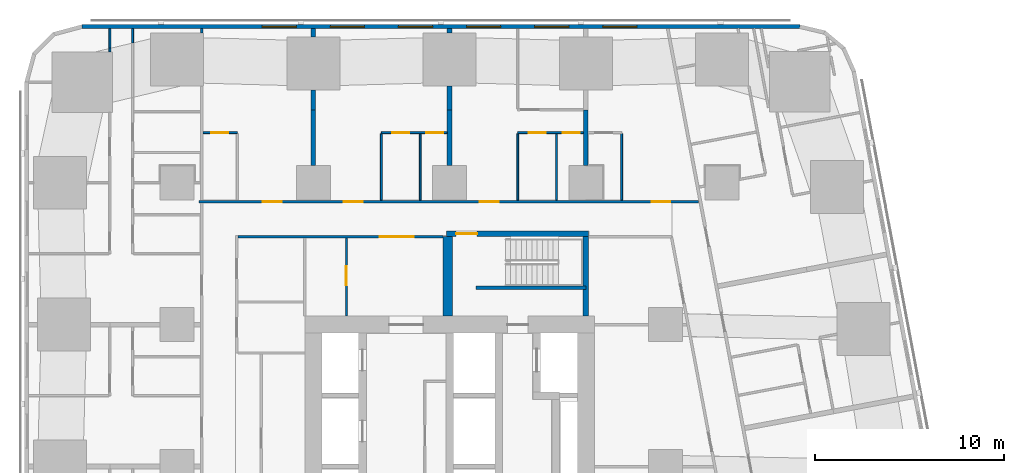
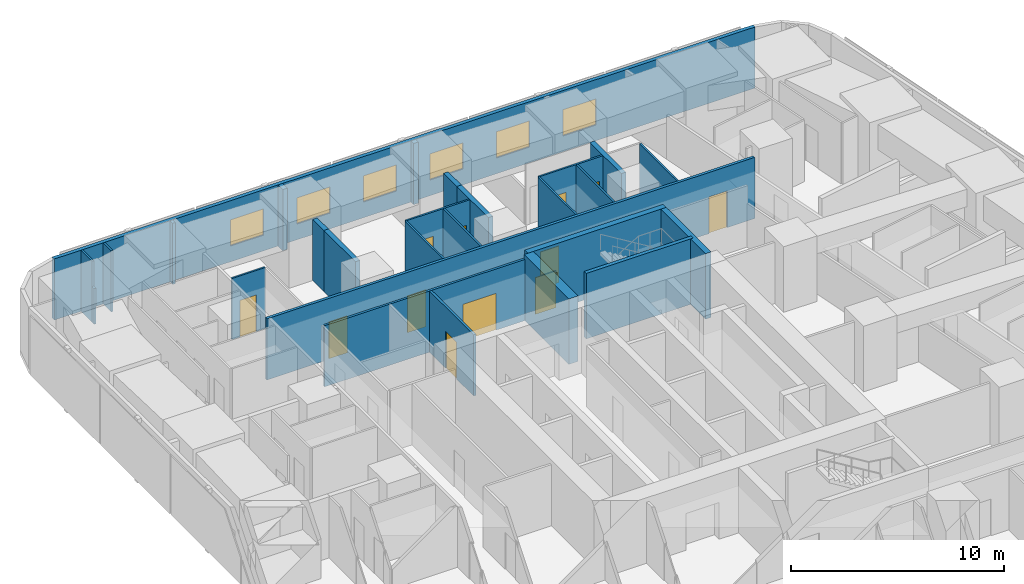
# One storey, part 9 of 15: 27 walls, 12 doors, 6 windows, 18 openings.
"""IFC4 building model written with IfcOpenShell, lengths in metres."""

from ifc_helpers import new_model, si_unit, direction, frame, frame_2d, origin, place, context, subcontext, project, spatial, rectangle, extrude, material, layer, layer_set, type_object, element, fill, save


model = new_model("IFC4")

# Units and contexts
model_context = context("Model", 3, precision=1e-05, world=origin(), true_north=direction((0.0, 1.0)))
body_context = subcontext(model_context, "Body", "Model", "MODEL_VIEW")
ifc_project = project(units=[si_unit("LENGTHUNIT", "METRE"), si_unit("AREAUNIT", "SQUARE_METRE"), si_unit("VOLUMEUNIT", "CUBIC_METRE"), si_unit("PLANEANGLEUNIT", "RADIAN"), si_unit("MASSUNIT", "GRAM", prefix="KILO")], contexts=[model_context])

# Site, building, storey
site_placement = place(None, origin())
site = spatial("IfcSite", under=ifc_project, at=site_placement, CompositionType="ELEMENT")
building_placement = place(site_placement, origin())
building = spatial("IfcBuilding", under=site, at=building_placement, Name="Sheger Commons Tower", CompositionType="ELEMENT")
storey_placement = place(building_placement, frame((0.0, 0.0, 50.0)))
storey = spatial("IfcBuildingStorey", under=building, at=storey_placement, Name="L12", CompositionType="ELEMENT", Elevation=50.0)

# Wall
ifc_material_1 = material(Name="Hollow concrete block masonry, skimmed both sides", Category="masonry")
ifc_layer_1 = layer(ifc_material_1, 0.14990234375)
ifc_layer_set_1 = layer_set([ifc_layer_1], Name="CORRIDOR WALL 150")
wall_type_1 = type_object("IfcWallType", Name="CORRIDOR WALL 150", PredefinedType="SOLIDWALL", material=ifc_layer_set_1)
wall_1_placement = place(storey_placement, frame((8.5, 45.40087890625, 0.0), z_axis=(0.0, 0.0, 1.0), x_axis=(0.0, 1.0, 0.0)))
element("IfcWall", 1, at=wall_1_placement, inside=storey, type_object=wall_type_1, Name="Corridor wall L12", PredefinedType="SOLIDWALL", context=body_context, shape_type="SweptSolid", body=[
    extrude(rectangle(XDim=0.2490234375, YDim=0.14990234375, at=frame_2d((0.12451171875, 0.0))), origin(), (0.0, 0.0, 1.0), 3.5),
])

# Wall, openings, doors
wall_2_placement = place(storey_placement, frame((8.35009765625, 36.5, 0.0), z_axis=(0.0, 0.0, 1.0), x_axis=(1.0, 0.0, 0.0)))
wall_2 = element("IfcWall", 2, at=wall_2_placement, inside=storey, type_object=wall_type_1, Name="Corridor wall L12", PredefinedType="SOLIDWALL", context=body_context, shape_type="SweptSolid", body=[
    extrude(rectangle(XDim=26.414794921875, YDim=0.14990234375, at=frame_2d((13.20751953125, 0.0))), origin(), (0.0, 0.0, 1.0), 3.5),
])
opening_1_placement = place(wall_2_placement, frame((3.383056640625, 0.0, 0.0)))
opening_1 = element("IfcOpeningElement", 3, at=opening_1_placement, cuts=wall_2, Name="Opening D1", PredefinedType="OPENING", context=body_context, shape_type="SweptSolid", body=[
    extrude(rectangle(XDim=1.0, YDim=2.10009765625, at=frame_2d((0.5, 1.050048828125))), frame((0.0, 0.0849609375, 0.0), z_axis=(0.0, -1.0, 0.0), x_axis=(1.0, 0.0, 0.0)), (0.0, 0.0, 1.0), 0.169921875),
])
opening_2_placement = place(wall_2_placement, frame((7.64990234375, 0.0, 0.0)))
opening_2 = element("IfcOpeningElement", 4, at=opening_2_placement, cuts=wall_2, Name="Opening D1", PredefinedType="OPENING", context=body_context, shape_type="SweptSolid", body=[
    extrude(rectangle(XDim=1.0, YDim=2.10009765625, at=frame_2d((0.5, 1.050048828125))), frame((0.0, 0.0849609375, 0.0), z_axis=(0.0, -1.0, 0.0), x_axis=(1.0, 0.0, 0.0)), (0.0, 0.0, 1.0), 0.169921875),
])
opening_3_placement = place(wall_2_placement, frame((14.85009765625, 0.0, 0.0)))
opening_3 = element("IfcOpeningElement", 5, at=opening_3_placement, cuts=wall_2, Name="Opening D1", PredefinedType="OPENING", context=body_context, shape_type="SweptSolid", body=[
    extrude(rectangle(XDim=1.0, YDim=2.10009765625, at=frame_2d((0.5, 1.050048828125))), frame((0.0, 0.0849609375, 0.0), z_axis=(0.0, -1.0, 0.0), x_axis=(1.0, 0.0, 0.0)), (0.0, 0.0, 1.0), 0.169921875),
])
opening_4_placement = place(wall_2_placement, frame((23.923095703125, 0.0, 0.0)))
opening_4 = element("IfcOpeningElement", 6, at=opening_4_placement, cuts=wall_2, Name="Opening D1", PredefinedType="OPENING", context=body_context, shape_type="SweptSolid", body=[
    extrude(rectangle(XDim=1.0, YDim=2.10009765625, at=frame_2d((0.5, 1.050048828125))), frame((0.0, 0.0849609375, 0.0), z_axis=(0.0, -1.0, 0.0), x_axis=(1.0, 0.0, 0.0)), (0.0, 0.0, 1.0), 0.169921875),
])
ifc_material_2 = material(Name="Steel door set, fire rated", Category="steel")
door_type_1 = type_object("IfcDoorType", Name="FLAT ENTRANCE DOOR 1000x2100", OperationType="NOTDEFINED", PredefinedType="DOOR", material=ifc_material_2)
door_1_placement = place(opening_1_placement, origin())
door_1 = element("IfcDoor", 7, at=door_1_placement, inside=storey, type_object=door_type_1, Name="Flat entrance door", OperationType="SINGLE_SWING_RIGHT", OverallHeight=2.10009765625, OverallWidth=1.0, PredefinedType="DOOR", context=body_context, shape_type="SweptSolid", body=[
    extrude(rectangle(XDim=1.0, YDim=2.10009765625, at=frame_2d((0.5, 1.050048828125))), frame((0.0, 0.02490234375, 0.0), z_axis=(0.0, -1.0, 0.0), x_axis=(1.0, 0.0, 0.0)), (0.0, 0.0, 1.0), 0.050048828125),
])
fill(opening_1, door_1)
door_2_placement = place(opening_2_placement, origin())
door_2 = element("IfcDoor", 8, at=door_2_placement, inside=storey, type_object=door_type_1, Name="Flat entrance door", OperationType="SINGLE_SWING_RIGHT", OverallHeight=2.10009765625, OverallWidth=1.0, PredefinedType="DOOR", context=body_context, shape_type="SweptSolid", body=[
    extrude(rectangle(XDim=1.0, YDim=2.10009765625, at=frame_2d((0.5, 1.050048828125))), frame((0.0, 0.02490234375, 0.0), z_axis=(0.0, -1.0, 0.0), x_axis=(1.0, 0.0, 0.0)), (0.0, 0.0, 1.0), 0.050048828125),
])
fill(opening_2, door_2)
door_3_placement = place(opening_3_placement, origin())
door_3 = element("IfcDoor", 9, at=door_3_placement, inside=storey, type_object=door_type_1, Name="Flat entrance door", OperationType="SINGLE_SWING_RIGHT", OverallHeight=2.10009765625, OverallWidth=1.0, PredefinedType="DOOR", context=body_context, shape_type="SweptSolid", body=[
    extrude(rectangle(XDim=1.0, YDim=2.10009765625, at=frame_2d((0.5, 1.050048828125))), frame((0.0, 0.02490234375, 0.0), z_axis=(0.0, -1.0, 0.0), x_axis=(1.0, 0.0, 0.0)), (0.0, 0.0, 1.0), 0.050048828125),
])
fill(opening_3, door_3)
door_4_placement = place(opening_4_placement, origin())
door_4 = element("IfcDoor", 10, at=door_4_placement, inside=storey, type_object=door_type_1, Name="Flat entrance door", OperationType="SINGLE_SWING_RIGHT", OverallHeight=2.10009765625, OverallWidth=1.0, PredefinedType="DOOR", context=body_context, shape_type="SweptSolid", body=[
    extrude(rectangle(XDim=1.0, YDim=2.10009765625, at=frame_2d((0.5, 1.050048828125))), frame((0.0, 0.02490234375, 0.0), z_axis=(0.0, -1.0, 0.0), x_axis=(1.0, 0.0, 0.0)), (0.0, 0.0, 1.0), 0.050048828125),
])
fill(opening_4, door_4)

# Walls
ifc_material_3 = material(Name="Dense concrete block masonry, plastered both sides (separating wall between flats)", Category="masonry")
ifc_layer_2 = layer(ifc_material_3, 0.25)
ifc_layer_set_2 = layer_set([ifc_layer_2], Name="DEMISING WALL 250")
wall_type_2 = type_object("IfcWallType", Name="DEMISING WALL 250", PredefinedType="SOLIDWALL", material=ifc_layer_set_2)
wall_3_placement = place(storey_placement, frame((14.39990234375, 41.35009765625, 0.0), z_axis=(0.0, 0.0, 1.0), x_axis=(0.0, 1.0, 0.0)))
element("IfcWall", 11, at=wall_3_placement, inside=storey, type_object=wall_type_2, Name="Demising wall L12", PredefinedType="SOLIDWALL", context=body_context, shape_type="SweptSolid", body=[
    extrude(rectangle(XDim=1.048828125, YDim=0.25, at=frame_2d((0.5244140625, 0.0))), origin(), (0.0, 0.0, 1.0), 3.5),
])
wall_4_placement = place(storey_placement, frame((14.39990234375, 45.200927734375, 0.0), z_axis=(0.0, 0.0, 1.0), x_axis=(0.0, 1.0, 0.0)))
element("IfcWall", 12, at=wall_4_placement, inside=storey, type_object=wall_type_2, Name="Demising wall L12", PredefinedType="SOLIDWALL", context=body_context, shape_type="SweptSolid", body=[
    extrude(rectangle(XDim=0.448974609375, YDim=0.25, at=frame_2d((0.224609375, 0.0))), origin(), (0.0, 0.0, 1.0), 3.5),
])
wall_5_placement = place(storey_placement, frame((14.39990234375, 38.40087890625, 0.0), z_axis=(0.0, 0.0, 1.0), x_axis=(0.0, 1.0, 0.0)))
element("IfcWall", 13, at=wall_5_placement, inside=storey, type_object=wall_type_2, Name="Demising wall L12", PredefinedType="SOLIDWALL", context=body_context, shape_type="SweptSolid", body=[
    extrude(rectangle(XDim=2.94921875, YDim=0.25, at=frame_2d((1.474609375, 0.0))), origin(), (0.0, 0.0, 1.0), 3.5),
])
wall_6_placement = place(storey_placement, frame((21.60009765625, 41.35009765625, 0.0), z_axis=(0.0, 0.0, 1.0), x_axis=(0.0, 1.0, 0.0)))
element("IfcWall", 14, at=wall_6_placement, inside=storey, type_object=wall_type_2, Name="Demising wall L12", PredefinedType="SOLIDWALL", context=body_context, shape_type="SweptSolid", body=[
    extrude(rectangle(XDim=1.2490234375, YDim=0.25, at=frame_2d((0.62451171875, 0.0))), origin(), (0.0, 0.0, 1.0), 3.5),
])
wall_7_placement = place(storey_placement, frame((21.60009765625, 45.40087890625, 0.0), z_axis=(0.0, 0.0, 1.0), x_axis=(0.0, 1.0, 0.0)))
element("IfcWall", 15, at=wall_7_placement, inside=storey, type_object=wall_type_2, Name="Demising wall L12", PredefinedType="SOLIDWALL", context=body_context, shape_type="SweptSolid", body=[
    extrude(rectangle(XDim=0.2490234375, YDim=0.25, at=frame_2d((0.12451171875, 0.0))), origin(), (0.0, 0.0, 1.0), 3.5),
])
for number, where, z_axis, x_axis, name in (
    (16, (21.60009765625, 38.40087890625, 0.0), (0.0, 0.0, 1.0), (0.0, 1.0, 0.0), "Demising wall L12"),
    (17, (28.800048828125, 38.40087890625, 0.0), (0.0, 0.0, 1.0), (0.0, 1.0, 0.0), "Demising wall L12"),
):
    element("IfcWall", number, at=place(storey_placement, frame(where, z_axis=z_axis, x_axis=x_axis)), inside=storey, type_object=wall_type_2, Name=name, PredefinedType="SOLIDWALL", context=body_context, shape_type="SweptSolid", body=[
        extrude(rectangle(XDim=2.94921875, YDim=0.25, at=frame_2d((1.474609375, 0.0))), origin(), (0.0, 0.0, 1.0), 3.5),
    ])

# Wall, openings, windows
ifc_material_4 = material(Name="Rendered concrete block masonry, dark grey", Category="masonry")
ifc_layer_3 = layer(ifc_material_4, 0.199951171875)
ifc_layer_set_3 = layer_set([ifc_layer_3], Name="FACADE WALL 200")
wall_type_3 = type_object("IfcWallType", Name="FACADE WALL 200", PredefinedType="SOLIDWALL", material=ifc_layer_set_3)
wall_8_placement = place(storey_placement, frame((40.10595703125, 45.75, 0.0), z_axis=(0.0, 0.0, 1.0), x_axis=(-1.0, 0.0, 0.0)))
wall_8 = element("IfcWall", 18, at=wall_8_placement, inside=storey, type_object=wall_type_3, Name="Facade wall L12", PredefinedType="SOLIDWALL", context=body_context, shape_type="SweptSolid", body=[
    extrude(rectangle(XDim=37.94287109375, YDim=0.199951171875, at=frame_2d((18.971435546875, 0.0))), origin(), (0.0, 0.0, 1.0), 3.5),
])
opening_5_placement = place(wall_8_placement, frame((8.60595703125, 0.0, 0.89990234375)))
opening_5 = element("IfcOpeningElement", 19, at=opening_5_placement, cuts=wall_8, Name="Opening W2", PredefinedType="OPENING", context=body_context, shape_type="SweptSolid", body=[
    extrude(rectangle(XDim=1.800048828125, YDim=1.5, at=frame_2d((0.89990234375, 0.75))), frame((0.0, 0.10986328125, 0.0), z_axis=(0.0, -1.0, 0.0), x_axis=(1.0, 0.0, 0.0)), (0.0, 0.0, 1.0), 0.219970703125),
])
opening_6_placement = place(wall_8_placement, frame((12.2060546875, 0.0, 0.89990234375)))
opening_6 = element("IfcOpeningElement", 20, at=opening_6_placement, cuts=wall_8, Name="Opening W2", PredefinedType="OPENING", context=body_context, shape_type="SweptSolid", body=[
    extrude(rectangle(XDim=1.800048828125, YDim=1.5, at=frame_2d((0.89990234375, 0.75))), frame((0.0, 0.10986328125, 0.0), z_axis=(0.0, -1.0, 0.0), x_axis=(1.0, 0.0, 0.0)), (0.0, 0.0, 1.0), 0.219970703125),
])
opening_7_placement = place(wall_8_placement, frame((15.805908203125, 0.0, 0.89990234375)))
opening_7 = element("IfcOpeningElement", 21, at=opening_7_placement, cuts=wall_8, Name="Opening W2", PredefinedType="OPENING", context=body_context, shape_type="SweptSolid", body=[
    extrude(rectangle(XDim=1.800048828125, YDim=1.5, at=frame_2d((0.89990234375, 0.75))), frame((0.0, 0.10986328125, 0.0), z_axis=(0.0, -1.0, 0.0), x_axis=(1.0, 0.0, 0.0)), (0.0, 0.0, 1.0), 0.219970703125),
])
opening_8_placement = place(wall_8_placement, frame((19.406005859375, 0.0, 0.89990234375)))
opening_8 = element("IfcOpeningElement", 22, at=opening_8_placement, cuts=wall_8, Name="Opening W2", PredefinedType="OPENING", context=body_context, shape_type="SweptSolid", body=[
    extrude(rectangle(XDim=1.800048828125, YDim=1.5, at=frame_2d((0.89990234375, 0.75))), frame((0.0, 0.10986328125, 0.0), z_axis=(0.0, -1.0, 0.0), x_axis=(1.0, 0.0, 0.0)), (0.0, 0.0, 1.0), 0.219970703125),
])
opening_9_placement = place(wall_8_placement, frame((23.006103515625, 0.0, 0.89990234375)))
opening_9 = element("IfcOpeningElement", 23, at=opening_9_placement, cuts=wall_8, Name="Opening W2", PredefinedType="OPENING", context=body_context, shape_type="SweptSolid", body=[
    extrude(rectangle(XDim=1.800048828125, YDim=1.5, at=frame_2d((0.89990234375, 0.75))), frame((0.0, 0.10986328125, 0.0), z_axis=(0.0, -1.0, 0.0), x_axis=(1.0, 0.0, 0.0)), (0.0, 0.0, 1.0), 0.219970703125),
])
opening_10_placement = place(wall_8_placement, frame((26.60595703125, 0.0, 0.89990234375)))
opening_10 = element("IfcOpeningElement", 24, at=opening_10_placement, cuts=wall_8, Name="Opening W2", PredefinedType="OPENING", context=body_context, shape_type="SweptSolid", body=[
    extrude(rectangle(XDim=1.800048828125, YDim=1.5, at=frame_2d((0.89990234375, 0.75))), frame((0.0, 0.10986328125, 0.0), z_axis=(0.0, -1.0, 0.0), x_axis=(1.0, 0.0, 0.0)), (0.0, 0.0, 1.0), 0.219970703125),
])
ifc_material_5 = material(Name="Black aluminium frame, dark tinted double glazing", Category="aluminium")
window_type = type_object("IfcWindowType", Name="WINDOW W2 1800x1500", PartitioningType="SINGLE_PANEL", PredefinedType="WINDOW", material=ifc_material_5)
window_1_placement = place(opening_5_placement, origin())
window_1 = element("IfcWindow", 25, at=window_1_placement, inside=storey, type_object=window_type, Name="Window W2 1800X1500", OverallHeight=1.5, OverallWidth=1.800048828125, PartitioningType="SINGLE_PANEL", PredefinedType="WINDOW", context=body_context, shape_type="SweptSolid", body=[
    extrude(rectangle(XDim=1.800048828125, YDim=1.5, at=frame_2d((0.89990234375, 0.75))), frame((0.0, 0.030029296875, 0.0), z_axis=(0.0, -1.0, 0.0), x_axis=(1.0, 0.0, 0.0)), (0.0, 0.0, 1.0), 0.06005859375),
])
fill(opening_5, window_1)
window_2_placement = place(opening_6_placement, origin())
window_2 = element("IfcWindow", 26, at=window_2_placement, inside=storey, type_object=window_type, Name="Window W2 1800X1500", OverallHeight=1.5, OverallWidth=1.800048828125, PartitioningType="SINGLE_PANEL", PredefinedType="WINDOW", context=body_context, shape_type="SweptSolid", body=[
    extrude(rectangle(XDim=1.800048828125, YDim=1.5, at=frame_2d((0.89990234375, 0.75))), frame((0.0, 0.030029296875, 0.0), z_axis=(0.0, -1.0, 0.0), x_axis=(1.0, 0.0, 0.0)), (0.0, 0.0, 1.0), 0.06005859375),
])
fill(opening_6, window_2)
window_3_placement = place(opening_7_placement, origin())
window_3 = element("IfcWindow", 27, at=window_3_placement, inside=storey, type_object=window_type, Name="Window W2 1800X1500", OverallHeight=1.5, OverallWidth=1.800048828125, PartitioningType="SINGLE_PANEL", PredefinedType="WINDOW", context=body_context, shape_type="SweptSolid", body=[
    extrude(rectangle(XDim=1.800048828125, YDim=1.5, at=frame_2d((0.89990234375, 0.75))), frame((0.0, 0.030029296875, 0.0), z_axis=(0.0, -1.0, 0.0), x_axis=(1.0, 0.0, 0.0)), (0.0, 0.0, 1.0), 0.06005859375),
])
fill(opening_7, window_3)
window_4_placement = place(opening_8_placement, origin())
window_4 = element("IfcWindow", 28, at=window_4_placement, inside=storey, type_object=window_type, Name="Window W2 1800X1500", OverallHeight=1.5, OverallWidth=1.800048828125, PartitioningType="SINGLE_PANEL", PredefinedType="WINDOW", context=body_context, shape_type="SweptSolid", body=[
    extrude(rectangle(XDim=1.800048828125, YDim=1.5, at=frame_2d((0.89990234375, 0.75))), frame((0.0, 0.030029296875, 0.0), z_axis=(0.0, -1.0, 0.0), x_axis=(1.0, 0.0, 0.0)), (0.0, 0.0, 1.0), 0.06005859375),
])
fill(opening_8, window_4)
window_5_placement = place(opening_9_placement, origin())
window_5 = element("IfcWindow", 29, at=window_5_placement, inside=storey, type_object=window_type, Name="Window W2 1800X1500", OverallHeight=1.5, OverallWidth=1.800048828125, PartitioningType="SINGLE_PANEL", PredefinedType="WINDOW", context=body_context, shape_type="SweptSolid", body=[
    extrude(rectangle(XDim=1.800048828125, YDim=1.5, at=frame_2d((0.89990234375, 0.75))), frame((0.0, 0.030029296875, 0.0), z_axis=(0.0, -1.0, 0.0), x_axis=(1.0, 0.0, 0.0)), (0.0, 0.0, 1.0), 0.06005859375),
])
fill(opening_9, window_5)
window_6_placement = place(opening_10_placement, origin())
window_6 = element("IfcWindow", 30, at=window_6_placement, inside=storey, type_object=window_type, Name="Window W2 1800X1500", OverallHeight=1.5, OverallWidth=1.800048828125, PartitioningType="SINGLE_PANEL", PredefinedType="WINDOW", context=body_context, shape_type="SweptSolid", body=[
    extrude(rectangle(XDim=1.800048828125, YDim=1.5, at=frame_2d((0.89990234375, 0.75))), frame((0.0, 0.030029296875, 0.0), z_axis=(0.0, -1.0, 0.0), x_axis=(1.0, 0.0, 0.0)), (0.0, 0.0, 1.0), 0.06005859375),
])
fill(opening_10, window_6)

# Walls
ifc_material_6 = material(Name="Gypsum board on steel studs", Category="steel")
ifc_layer_4 = layer(ifc_material_6, 0.10009765625)
ifc_layer_set_4 = layer_set([ifc_layer_4], Name="PARTITION 100")
wall_type_4 = type_object("IfcWallType", Name="PARTITION 100", PredefinedType="PARTITIONING", material=ifc_layer_set_4)
wall_9_placement = place(storey_placement, frame((3.64990234375, 44.4150390625, 0.0), z_axis=(0.0, 0.0, 1.0), x_axis=(0.0, 1.0, 0.0)))
element("IfcWall", 31, at=wall_9_placement, inside=storey, type_object=wall_type_4, Name="Partition L12", PredefinedType="PARTITIONING", context=body_context, shape_type="SweptSolid", body=[
    extrude(rectangle(XDim=0.196044921875, YDim=0.10009765625, at=frame_2d((0.09814453125, 0.0))), origin(), (0.0, 0.0, 1.0), 2.050048828125),
])
wall_10_placement = place(storey_placement, frame((3.64990234375, 44.611083984375, 0.0), z_axis=(0.0, 0.0, 1.0), x_axis=(0.0, 1.0, 0.0)))
element("IfcWall", 32, at=wall_10_placement, inside=storey, type_object=wall_type_4, Name="Partition L12", PredefinedType="PARTITIONING", context=body_context, shape_type="SweptSolid", body=[
    extrude(rectangle(XDim=1.038818359375, YDim=0.10009765625, at=frame_2d((0.51953125, 0.0))), origin(), (0.0, 0.0, 1.0), 3.5),
])
wall_11_placement = place(storey_placement, frame((4.85009765625, 44.89501953125, 0.0), z_axis=(0.0, 0.0, 1.0), x_axis=(0.0, 1.0, 0.0)))
element("IfcWall", 33, at=wall_11_placement, inside=storey, type_object=wall_type_4, Name="Partition L12", PredefinedType="PARTITIONING", context=body_context, shape_type="SweptSolid", body=[
    extrude(rectangle(XDim=0.7548828125, YDim=0.10009765625, at=frame_2d((0.37744140625, 0.0))), origin(), (0.0, 0.0, 1.0), 3.5),
])

# Wall, opening, door
wall_12_placement = place(storey_placement, frame((8.574951171875, 40.14990234375, 0.0), z_axis=(0.0, 0.0, 1.0), x_axis=(1.0, 0.0, 0.0)))
wall_12 = element("IfcWall", 34, at=wall_12_placement, inside=storey, type_object=wall_type_4, Name="Partition L12", PredefinedType="PARTITIONING", context=body_context, shape_type="SweptSolid", body=[
    extrude(rectangle(XDim=1.81494140625, YDim=0.10009765625, at=frame_2d((0.907470703125, 0.0))), origin(), (0.0, 0.0, 1.0), 3.5),
])
opening_11_placement = place(wall_12_placement, frame((0.425048828125, 0.0, 0.0)))
opening_11 = element("IfcOpeningElement", 35, at=opening_11_placement, cuts=wall_12, Name="Opening D2", PredefinedType="OPENING", context=body_context, shape_type="SweptSolid", body=[
    extrude(rectangle(XDim=0.89990234375, YDim=2.10009765625, at=frame_2d((0.449951171875, 1.050048828125))), frame((0.0, 0.06005859375, 0.0), z_axis=(0.0, -1.0, 0.0), x_axis=(1.0, 0.0, 0.0)), (0.0, 0.0, 1.0), 0.1201171875),
])
ifc_material_7 = material(Name="Timber door set", Category="wood")
door_type_2 = type_object("IfcDoorType", Name="INTERNAL DOOR 900x2100", OperationType="NOTDEFINED", PredefinedType="DOOR", material=ifc_material_7)
door_5_placement = place(opening_11_placement, origin())
door_5 = element("IfcDoor", 36, at=door_5_placement, inside=storey, type_object=door_type_2, Name="Shower room door", OperationType="SINGLE_SWING_RIGHT", OverallHeight=2.10009765625, OverallWidth=0.89990234375, PredefinedType="DOOR", context=body_context, shape_type="SweptSolid", body=[
    extrude(rectangle(XDim=0.89990234375, YDim=2.10009765625, at=frame_2d((0.449951171875, 1.050048828125))), frame((0.0, 0.02490234375, 0.0), z_axis=(0.0, -1.0, 0.0), x_axis=(1.0, 0.0, 0.0)), (0.0, 0.0, 1.0), 0.050048828125),
])
fill(opening_11, door_5)

# Wall, openings, doors
wall_13_placement = place(storey_placement, frame((18.0, 40.14990234375, 0.0), z_axis=(0.0, 0.0, 1.0), x_axis=(1.0, 0.0, 0.0)))
wall_13 = element("IfcWall", 37, at=wall_13_placement, inside=storey, type_object=wall_type_4, Name="Partition L12", PredefinedType="PARTITIONING", context=body_context, shape_type="SweptSolid", body=[
    extrude(rectangle(XDim=3.47509765625, YDim=0.10009765625, at=frame_2d((1.737548828125, 0.0))), origin(), (0.0, 0.0, 1.0), 3.5),
])
opening_12_placement = place(wall_13_placement, frame((0.574951171875, 0.0, 0.0)))
opening_12 = element("IfcOpeningElement", 38, at=opening_12_placement, cuts=wall_13, Name="Opening D2", PredefinedType="OPENING", context=body_context, shape_type="SweptSolid", body=[
    extrude(rectangle(XDim=0.89990234375, YDim=2.10009765625, at=frame_2d((0.449951171875, 1.050048828125))), frame((0.0, 0.06005859375, 0.0), z_axis=(0.0, -1.0, 0.0), x_axis=(1.0, 0.0, 0.0)), (0.0, 0.0, 1.0), 0.1201171875),
])
opening_13_placement = place(wall_13_placement, frame((2.375, 0.0, 0.0)))
opening_13 = element("IfcOpeningElement", 39, at=opening_13_placement, cuts=wall_13, Name="Opening D2", PredefinedType="OPENING", context=body_context, shape_type="SweptSolid", body=[
    extrude(rectangle(XDim=0.89990234375, YDim=2.10009765625, at=frame_2d((0.449951171875, 1.050048828125))), frame((0.0, 0.06005859375, 0.0), z_axis=(0.0, -1.0, 0.0), x_axis=(1.0, 0.0, 0.0)), (0.0, 0.0, 1.0), 0.1201171875),
])
door_6_placement = place(opening_12_placement, origin())
door_6 = element("IfcDoor", 40, at=door_6_placement, inside=storey, type_object=door_type_2, Name="Bathroom door", OperationType="SINGLE_SWING_RIGHT", OverallHeight=2.10009765625, OverallWidth=0.89990234375, PredefinedType="DOOR", context=body_context, shape_type="SweptSolid", body=[
    extrude(rectangle(XDim=0.89990234375, YDim=2.10009765625, at=frame_2d((0.449951171875, 1.050048828125))), frame((0.0, 0.02490234375, 0.0), z_axis=(0.0, -1.0, 0.0), x_axis=(1.0, 0.0, 0.0)), (0.0, 0.0, 1.0), 0.050048828125),
])
fill(opening_12, door_6)
door_7_placement = place(opening_13_placement, origin())
door_7 = element("IfcDoor", 41, at=door_7_placement, inside=storey, type_object=door_type_2, Name="Store door", OperationType="SINGLE_SWING_LEFT", OverallHeight=2.10009765625, OverallWidth=0.89990234375, PredefinedType="DOOR", context=body_context, shape_type="SweptSolid", body=[
    extrude(rectangle(XDim=0.89990234375, YDim=2.10009765625, at=frame_2d((0.449951171875, 1.050048828125))), frame((0.0, 0.02490234375, 0.0), z_axis=(0.0, -1.0, 0.0), x_axis=(1.0, 0.0, 0.0)), (0.0, 0.0, 1.0), 0.050048828125),
])
fill(opening_13, door_7)

# Walls
for number, where, z_axis, x_axis, name in (
    (42, (18.0, 36.574951171875, 0.0), (0.0, 0.0, 1.0), (0.0, 1.0, 0.0), "Partition L12"),
    (43, (20.050048828125, 36.574951171875, 0.0), (0.0, 0.0, 1.0), (0.0, 1.0, 0.0), "Partition L12"),
):
    element("IfcWall", number, at=place(storey_placement, frame(where, z_axis=z_axis, x_axis=x_axis)), inside=storey, type_object=wall_type_4, Name=name, PredefinedType="PARTITIONING", context=body_context, shape_type="SweptSolid", body=[
        extrude(rectangle(XDim=3.525146484375, YDim=0.10009765625, at=frame_2d((1.7626953125, 0.0))), origin(), (0.0, 0.0, 1.0), 3.5),
    ])

# Wall, openings, doors
wall_14_placement = place(storey_placement, frame((25.199951171875, 40.14990234375, 0.0), z_axis=(0.0, 0.0, 1.0), x_axis=(1.0, 0.0, 0.0)))
wall_14 = element("IfcWall", 44, at=wall_14_placement, inside=storey, type_object=wall_type_4, Name="Partition L12", PredefinedType="PARTITIONING", context=body_context, shape_type="SweptSolid", body=[
    extrude(rectangle(XDim=3.47509765625, YDim=0.10009765625, at=frame_2d((1.737548828125, 0.0))), origin(), (0.0, 0.0, 1.0), 3.5),
])
opening_14_placement = place(wall_14_placement, frame((0.574951171875, 0.0, 0.0)))
opening_14 = element("IfcOpeningElement", 45, at=opening_14_placement, cuts=wall_14, Name="Opening D2", PredefinedType="OPENING", context=body_context, shape_type="SweptSolid", body=[
    extrude(rectangle(XDim=0.89990234375, YDim=2.10009765625, at=frame_2d((0.449951171875, 1.050048828125))), frame((0.0, 0.06005859375, 0.0), z_axis=(0.0, -1.0, 0.0), x_axis=(1.0, 0.0, 0.0)), (0.0, 0.0, 1.0), 0.1201171875),
])
opening_15_placement = place(wall_14_placement, frame((2.375, 0.0, 0.0)))
opening_15 = element("IfcOpeningElement", 46, at=opening_15_placement, cuts=wall_14, Name="Opening D2", PredefinedType="OPENING", context=body_context, shape_type="SweptSolid", body=[
    extrude(rectangle(XDim=0.89990234375, YDim=2.10009765625, at=frame_2d((0.449951171875, 1.050048828125))), frame((0.0, 0.06005859375, 0.0), z_axis=(0.0, -1.0, 0.0), x_axis=(1.0, 0.0, 0.0)), (0.0, 0.0, 1.0), 0.1201171875),
])
door_8_placement = place(opening_14_placement, origin())
door_8 = element("IfcDoor", 47, at=door_8_placement, inside=storey, type_object=door_type_2, Name="Bathroom door", OperationType="SINGLE_SWING_RIGHT", OverallHeight=2.10009765625, OverallWidth=0.89990234375, PredefinedType="DOOR", context=body_context, shape_type="SweptSolid", body=[
    extrude(rectangle(XDim=0.89990234375, YDim=2.10009765625, at=frame_2d((0.449951171875, 1.050048828125))), frame((0.0, 0.02490234375, 0.0), z_axis=(0.0, -1.0, 0.0), x_axis=(1.0, 0.0, 0.0)), (0.0, 0.0, 1.0), 0.050048828125),
])
fill(opening_14, door_8)
door_9_placement = place(opening_15_placement, origin())
door_9 = element("IfcDoor", 48, at=door_9_placement, inside=storey, type_object=door_type_2, Name="Store door", OperationType="SINGLE_SWING_LEFT", OverallHeight=2.10009765625, OverallWidth=0.89990234375, PredefinedType="DOOR", context=body_context, shape_type="SweptSolid", body=[
    extrude(rectangle(XDim=0.89990234375, YDim=2.10009765625, at=frame_2d((0.449951171875, 1.050048828125))), frame((0.0, 0.02490234375, 0.0), z_axis=(0.0, -1.0, 0.0), x_axis=(1.0, 0.0, 0.0)), (0.0, 0.0, 1.0), 0.050048828125),
])
fill(opening_15, door_9)

# Walls
for number, where, z_axis, x_axis, name in (
    (49, (25.199951171875, 36.574951171875, 0.0), (0.0, 0.0, 1.0), (0.0, 1.0, 0.0), "Partition L12"),
    (50, (27.25, 36.574951171875, 0.0), (0.0, 0.0, 1.0), (0.0, 1.0, 0.0), "Partition L12"),
    (51, (30.68994140625, 36.574951171875, 0.0), (0.0, 0.0, 1.0), (0.0, 1.0, 0.0), "Partition L12"),
):
    element("IfcWall", number, at=place(storey_placement, frame(where, z_axis=z_axis, x_axis=x_axis)), inside=storey, type_object=wall_type_4, Name=name, PredefinedType="PARTITIONING", context=body_context, shape_type="SweptSolid", body=[
        extrude(rectangle(XDim=3.525146484375, YDim=0.10009765625, at=frame_2d((1.7626953125, 0.0))), origin(), (0.0, 0.0, 1.0), 3.5),
    ])

# Wall, opening, door
ifc_material_8 = material(Name="Gypsum board on steel studs, two layers each side, fire rated", Category="steel")
ifc_layer_5 = layer(ifc_material_8, 0.125)
ifc_layer_set_5 = layer_set([ifc_layer_5], Name="SERVICE WALL 125")
wall_type_5 = type_object("IfcWallType", Name="SERVICE WALL 125", PredefinedType="PARTITIONING", material=ifc_layer_set_5)
wall_15_placement = place(storey_placement, frame((10.4130859375, 34.64990234375, 0.0), z_axis=(0.0, 0.0, 1.0), x_axis=(1.0, 0.0, 0.0)))
wall_15 = element("IfcWall", 52, at=wall_15_placement, inside=storey, type_object=wall_type_5, Name="Service room wall L12", PredefinedType="PARTITIONING", context=body_context, shape_type="SweptSolid", body=[
    extrude(rectangle(XDim=10.8369140625, YDim=0.125, at=frame_2d((5.41845703125, 0.0))), origin(), (0.0, 0.0, 1.0), 3.5),
])
opening_16_placement = place(wall_15_placement, frame((7.487060546875, 0.0, 0.0)))
opening_16 = element("IfcOpeningElement", 53, at=opening_16_placement, cuts=wall_15, Name="Opening D6", PredefinedType="OPENING", context=body_context, shape_type="SweptSolid", body=[
    extrude(rectangle(XDim=1.800048828125, YDim=2.10009765625, at=frame_2d((0.89990234375, 1.050048828125))), frame((0.0, 0.072509765625, 0.0), z_axis=(0.0, -1.0, 0.0), x_axis=(1.0, 0.0, 0.0)), (0.0, 0.0, 1.0), 0.14501953125),
])
ifc_material_9 = material(Name="Steel door set, fire rated", Category="steel")
door_type_3 = type_object("IfcDoorType", Name="LOBBY DOUBLE DOOR 1800x2100", OperationType="DOUBLE_DOOR_SINGLE_SWING", PredefinedType="DOOR", material=ifc_material_9)
door_10_placement = place(opening_16_placement, origin())
door_10 = element("IfcDoor", 54, at=door_10_placement, inside=storey, type_object=door_type_3, Name="Lift lobby north door", OperationType="DOUBLE_DOOR_SINGLE_SWING", OverallHeight=2.10009765625, OverallWidth=1.800048828125, PredefinedType="DOOR", context=body_context, shape_type="SweptSolid", body=[
    extrude(rectangle(XDim=1.800048828125, YDim=2.10009765625, at=frame_2d((0.89990234375, 1.050048828125))), frame((0.0, 0.02490234375, 0.0), z_axis=(0.0, -1.0, 0.0), x_axis=(1.0, 0.0, 0.0)), (0.0, 0.0, 1.0), 0.050048828125),
])
fill(opening_16, door_10)

wall_16_placement = place(storey_placement, frame((16.14990234375, 30.449951171875, 0.0), z_axis=(0.0, 0.0, 1.0), x_axis=(0.0, 1.0, 0.0)))
wall_16 = element("IfcWall", 55, at=wall_16_placement, inside=storey, type_object=wall_type_5, Name="Service room wall L12", PredefinedType="PARTITIONING", context=body_context, shape_type="SweptSolid", body=[
    extrude(rectangle(XDim=4.136962890625, YDim=0.125, at=frame_2d((2.068359375, 0.0))), origin(), (0.0, 0.0, 1.0), 3.5),
])
opening_17_placement = place(wall_16_placement, frame((1.625, 0.0, 0.0)))
opening_17 = element("IfcOpeningElement", 56, at=opening_17_placement, cuts=wall_16, Name="Opening D4", PredefinedType="OPENING", context=body_context, shape_type="SweptSolid", body=[
    extrude(rectangle(XDim=1.0, YDim=2.10009765625, at=frame_2d((0.5, 1.050048828125))), frame((0.0, 0.072509765625, 0.0), z_axis=(0.0, -1.0, 0.0), x_axis=(1.0, 0.0, 0.0)), (0.0, 0.0, 1.0), 0.14501953125),
])
ifc_material_10 = material(Name="Steel door set, fire rated", Category="steel")
door_type_4 = type_object("IfcDoorType", Name="SERVICE DOOR 1000x2100", OperationType="NOTDEFINED", PredefinedType="DOOR", material=ifc_material_10)
door_11_placement = place(opening_17_placement, origin())
door_11 = element("IfcDoor", 57, at=door_11_placement, inside=storey, type_object=door_type_4, Name="Telecom room door", OperationType="SINGLE_SWING_RIGHT", OverallHeight=2.10009765625, OverallWidth=1.0, PredefinedType="DOOR", context=body_context, shape_type="SweptSolid", body=[
    extrude(rectangle(XDim=1.0, YDim=2.10009765625, at=frame_2d((0.5, 1.050048828125))), frame((0.0, 0.02490234375, 0.0), z_axis=(0.0, -1.0, 0.0), x_axis=(1.0, 0.0, 0.0)), (0.0, 0.0, 1.0), 0.050048828125),
])
fill(opening_17, door_11)

ifc_material_11 = material(Name="Concrete C50/60", Category="concrete")
ifc_layer_6 = layer(ifc_material_11, 0.300048828125)
ifc_layer_set_6 = layer_set([ifc_layer_6], Name="STAIR CORE WALL 300")
wall_type_6 = type_object("IfcWallType", Name="STAIR CORE WALL 300", PredefinedType="SHEAR", material=ifc_layer_set_6)
wall_17_placement = place(storey_placement, frame((21.449951171875, 34.800048828125, 0.0), z_axis=(0.0, 0.0, 1.0), x_axis=(1.0, 0.0, 0.0)))
wall_17 = element("IfcWall", 58, at=wall_17_placement, inside=storey, type_object=wall_type_6, Name="STW-L12-S2N", PredefinedType="SHEAR", context=body_context, shape_type="SweptSolid", body=[
    extrude(rectangle(XDim=7.5, YDim=0.300048828125, at=frame_2d((3.75, 0.0))), origin(), (0.0, 0.0, 1.0), 3.75),
])
opening_18_placement = place(wall_17_placement, frame((0.5, 0.0, 0.0)))
opening_18 = element("IfcOpeningElement", 59, at=opening_18_placement, cuts=wall_17, Name="Opening D5", PredefinedType="OPENING", context=body_context, shape_type="SweptSolid", body=[
    extrude(rectangle(XDim=1.10009765625, YDim=2.10009765625, at=frame_2d((0.550048828125, 1.050048828125))), frame((0.0, 0.159912109375, 0.0), z_axis=(0.0, -1.0, 0.0), x_axis=(1.0, 0.0, 0.0)), (0.0, 0.0, 1.0), 0.320068359375),
])
ifc_material_12 = material(Name="Steel door set, fire rated", Category="steel")
door_type_5 = type_object("IfcDoorType", Name="STAIR DOOR 1100x2100", OperationType="NOTDEFINED", PredefinedType="DOOR", material=ifc_material_12)
door_12_placement = place(opening_18_placement, origin())
door_12 = element("IfcDoor", 60, at=door_12_placement, inside=storey, type_object=door_type_5, Name="Stair S2 door", OperationType="SINGLE_SWING_RIGHT", OverallHeight=2.10009765625, OverallWidth=1.10009765625, PredefinedType="DOOR", context=body_context, shape_type="SweptSolid", body=[
    extrude(rectangle(XDim=1.10009765625, YDim=2.10009765625, at=frame_2d((0.550048828125, 1.050048828125))), frame((0.0, 0.02490234375, 0.0), z_axis=(0.0, -1.0, 0.0), x_axis=(1.0, 0.0, 0.0)), (0.0, 0.0, 1.0), 0.050048828125),
])
fill(opening_18, door_12)

# Walls
wall_18_placement = place(storey_placement, frame((28.800048828125, 30.449951171875, 0.0), z_axis=(0.0, 0.0, 1.0), x_axis=(0.0, 1.0, 0.0)))
element("IfcWall", 61, at=wall_18_placement, inside=storey, type_object=wall_type_6, Name="STW-L12-S2E", PredefinedType="SHEAR", context=body_context, shape_type="SweptSolid", body=[
    extrude(rectangle(XDim=4.199951171875, YDim=0.300048828125, at=frame_2d((2.10009765625, 0.0))), origin(), (0.0, 0.0, 1.0), 3.75),
])
ifc_material_13 = material(Name="Concrete C50/60", Category="concrete")
ifc_layer_7 = layer(ifc_material_13, 0.5)
ifc_layer_set_7 = layer_set([ifc_layer_7], Name="STAIR CORE WALL 500")
wall_type_7 = type_object("IfcWallType", Name="STAIR CORE WALL 500", PredefinedType="SHEAR", material=ifc_layer_set_7)
wall_19_placement = place(storey_placement, frame((21.5, 30.449951171875, 0.0), z_axis=(0.0, 0.0, 1.0), x_axis=(0.0, 1.0, 0.0)))
element("IfcWall", 62, at=wall_19_placement, inside=storey, type_object=wall_type_7, Name="STW-L12-S2W", PredefinedType="SHEAR", context=body_context, shape_type="SweptSolid", body=[
    extrude(rectangle(XDim=4.199951171875, YDim=0.5, at=frame_2d((2.10009765625, 0.0))), origin(), (0.0, 0.0, 1.0), 3.75),
])
ifc_material_14 = material(Name="Concrete C50/60", Category="concrete")
ifc_layer_8 = layer(ifc_material_14, 0.199951171875)
ifc_layer_set_8 = layer_set([ifc_layer_8], Name="STAIR SPINE WALL 200")
wall_type_8 = type_object("IfcWallType", Name="STAIR SPINE WALL 200", PredefinedType="SHEAR", material=ifc_layer_set_8)
wall_20_placement = place(storey_placement, frame((23.0, 31.949951171875, 0.0), z_axis=(0.0, 0.0, 1.0), x_axis=(1.0, 0.0, 0.0)))
element("IfcWall", 63, at=wall_20_placement, inside=storey, type_object=wall_type_8, Name="Stair spine wall L12", PredefinedType="SHEAR", context=body_context, shape_type="SweptSolid", body=[
    extrude(rectangle(XDim=5.800048828125, YDim=0.199951171875, at=frame_2d((2.89990234375, 0.0))), origin(), (0.0, 0.0, 1.0), 3.75),
])

save(model, "model.ifc")
